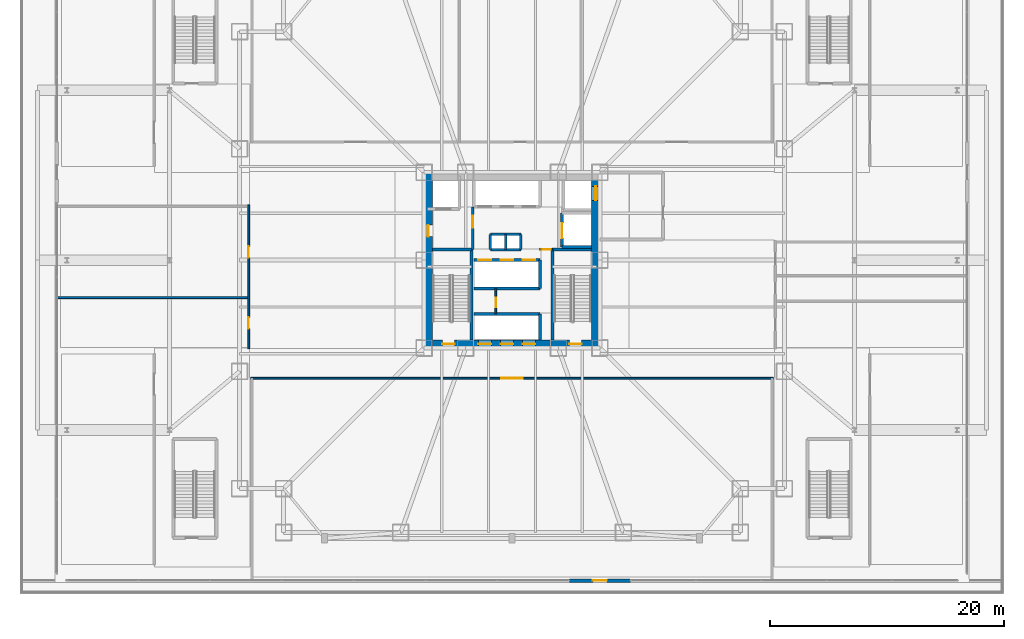
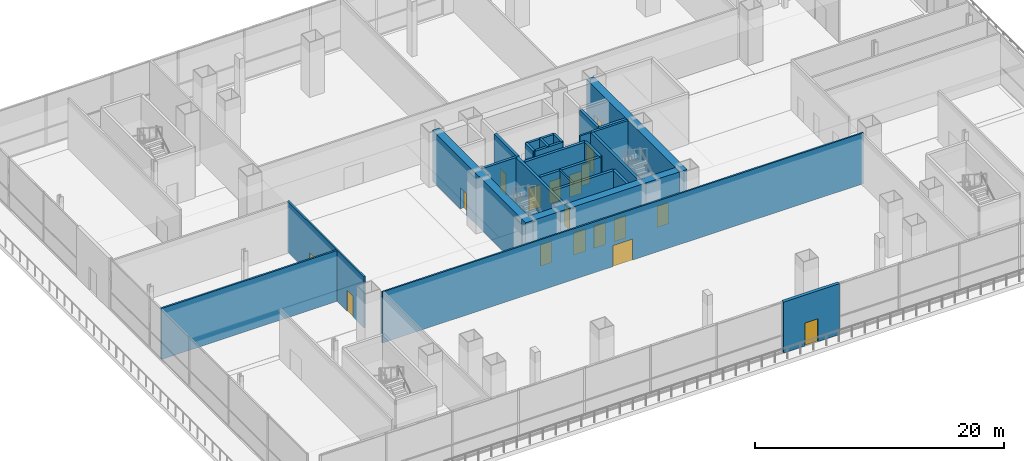
# One storey, part 21 of 36: 26 walls, 18 doors, 18 openings.
"""IFC4 building model written with IfcOpenShell, lengths in metres."""

from ifc_helpers import new_model, si_unit, direction, frame, frame_2d, origin, place, context, subcontext, project, spatial, rectangle, extrude, material, layer, layer_set, type_object, element, fill, save


model = new_model("IFC4")

# Units and contexts
model_context = context("Model", 3, precision=1e-05, world=origin(), true_north=direction((0.0, 1.0)))
body_context = subcontext(model_context, "Body", "Model", "MODEL_VIEW")
ifc_project = project(units=[si_unit("LENGTHUNIT", "METRE"), si_unit("AREAUNIT", "SQUARE_METRE"), si_unit("VOLUMEUNIT", "CUBIC_METRE"), si_unit("PLANEANGLEUNIT", "RADIAN"), si_unit("MASSUNIT", "GRAM", prefix="KILO")], contexts=[model_context])

# Site, building, storey
site_placement = place(None, origin())
site = spatial("IfcSite", under=ifc_project, at=site_placement, CompositionType="ELEMENT")
building_placement = place(site_placement, origin())
building = spatial("IfcBuilding", under=site, at=building_placement, Name="Trevonay Congress Spire", CompositionType="ELEMENT")
storey_placement = place(building_placement, frame((0.0, 0.0, 5.39990234375)))
storey = spatial("IfcBuildingStorey", under=building, at=storey_placement, Name="L01", CompositionType="ELEMENT", Elevation=5.39990234375)

# Wall, openings, doors
ifc_material_1 = material(Name="Concrete C60/75", Category="concrete")
ifc_layer_1 = layer(ifc_material_1, 0.699951171875, Name="Concrete C60/75")
ifc_layer_set_1 = layer_set([ifc_layer_1], Name="Concrete C60/75")
wall_type_1 = type_object("IfcWallType", Name="WAL-CORE-700", PredefinedType="SHEAR", material=ifc_layer_set_1)
wall_1_placement = place(storey_placement, frame((-7.5, -7.14990234375, 0.0), z_axis=(0.0, 0.0, 1.0), x_axis=(1.0, 0.0, 0.0)))
wall_1 = element("IfcWall", 1, at=wall_1_placement, inside=storey, type_object=wall_type_1, Name="L01 South structural core shear wall", PredefinedType="SHEAR", context=body_context, shape_type="SweptSolid", body=[
    extrude(rectangle(XDim=15.0, YDim=0.699951171875, at=frame_2d((7.5, 0.0))), origin(), (0.0, 0.0, 1.0), 5.0),
])
opening_1_placement = place(wall_1_placement, frame((1.550048828125, 0.0, 0.0)))
opening_1 = element("IfcOpeningElement", 2, at=opening_1_placement, cuts=wall_1, Name="Opening D05", PredefinedType="OPENING", context=body_context, shape_type="SweptSolid", body=[
    extrude(rectangle(XDim=1.050048828125, YDim=2.080078125, at=frame_2d((0.52490234375, 1.0400390625))), frame((0.0, 0.35986328125, 0.0), z_axis=(0.0, -1.0, 0.0), x_axis=(1.0, 0.0, 0.0)), (0.0, 0.0, 1.0), 0.719970703125),
])
opening_2_placement = place(wall_1_placement, frame((12.39990234375, 0.0, 0.0)))
opening_2 = element("IfcOpeningElement", 3, at=opening_2_placement, cuts=wall_1, Name="Opening D05", PredefinedType="OPENING", context=body_context, shape_type="SweptSolid", body=[
    extrude(rectangle(XDim=1.050048828125, YDim=2.080078125, at=frame_2d((0.52490234375, 1.0400390625))), frame((0.0, 0.35986328125, 0.0), z_axis=(0.0, -1.0, 0.0), x_axis=(1.0, 0.0, 0.0)), (0.0, 0.0, 1.0), 0.719970703125),
])
opening_3_placement = place(wall_1_placement, frame((4.639892578125, 0.0, 0.0)))
opening_3 = element("IfcOpeningElement", 4, at=opening_3_placement, cuts=wall_1, Name="Opening LD01", PredefinedType="OPENING", context=body_context, shape_type="SweptSolid", body=[
    extrude(rectangle(XDim=1.10009765625, YDim=2.199951171875, at=frame_2d((0.550048828125, 1.10009765625))), frame((0.0, 0.35986328125, 0.0), z_axis=(0.0, -1.0, 0.0), x_axis=(1.0, 0.0, 0.0)), (0.0, 0.0, 1.0), 0.719970703125),
])
opening_4_placement = place(wall_1_placement, frame((6.52001953125, 0.0, 0.0)))
opening_4 = element("IfcOpeningElement", 5, at=opening_4_placement, cuts=wall_1, Name="Opening LD01", PredefinedType="OPENING", context=body_context, shape_type="SweptSolid", body=[
    extrude(rectangle(XDim=1.10009765625, YDim=2.199951171875, at=frame_2d((0.550048828125, 1.10009765625))), frame((0.0, 0.35986328125, 0.0), z_axis=(0.0, -1.0, 0.0), x_axis=(1.0, 0.0, 0.0)), (0.0, 0.0, 1.0), 0.719970703125),
])
opening_5_placement = place(wall_1_placement, frame((8.39990234375, 0.0, 0.0)))
opening_5 = element("IfcOpeningElement", 6, at=opening_5_placement, cuts=wall_1, Name="Opening LD01", PredefinedType="OPENING", context=body_context, shape_type="SweptSolid", body=[
    extrude(rectangle(XDim=1.10009765625, YDim=2.199951171875, at=frame_2d((0.550048828125, 1.10009765625))), frame((0.0, 0.35986328125, 0.0), z_axis=(0.0, -1.0, 0.0), x_axis=(1.0, 0.0, 0.0)), (0.0, 0.0, 1.0), 0.719970703125),
])
ifc_material_2 = material(Name="Pale Anodised Aluminium EN AW-6063-T6", Category="aluminium")
door_type_1 = type_object("IfcDoorType", Name="DOR-LIFT-LD01", OperationType="DOUBLE_DOOR_SLIDING", PredefinedType="DOOR", material=ifc_material_2)
door_1_placement = place(opening_3_placement, origin())
door_1 = element("IfcDoor", 7, at=door_1_placement, inside=storey, type_object=door_type_1, Name="L01 Passenger lift PL-01 landing door", OperationType="DOUBLE_DOOR_SLIDING", OverallHeight=2.199951171875, OverallWidth=1.10009765625, PredefinedType="DOOR", context=body_context, shape_type="SweptSolid", body=[
    extrude(rectangle(XDim=1.10009765625, YDim=2.199951171875, at=frame_2d((0.550048828125, 1.10009765625))), frame((0.0, 0.02490234375, 0.0), z_axis=(0.0, -1.0, 0.0), x_axis=(1.0, 0.0, 0.0)), (0.0, 0.0, 1.0), 0.050048828125),
])
fill(opening_3, door_1)
door_2_placement = place(opening_4_placement, origin())
door_2 = element("IfcDoor", 8, at=door_2_placement, inside=storey, type_object=door_type_1, Name="L01 Passenger lift PL-02 landing door", OperationType="DOUBLE_DOOR_SLIDING", OverallHeight=2.199951171875, OverallWidth=1.10009765625, PredefinedType="DOOR", context=body_context, shape_type="SweptSolid", body=[
    extrude(rectangle(XDim=1.10009765625, YDim=2.199951171875, at=frame_2d((0.550048828125, 1.10009765625))), frame((0.0, 0.02490234375, 0.0), z_axis=(0.0, -1.0, 0.0), x_axis=(1.0, 0.0, 0.0)), (0.0, 0.0, 1.0), 0.050048828125),
])
fill(opening_4, door_2)
door_3_placement = place(opening_5_placement, origin())
door_3 = element("IfcDoor", 9, at=door_3_placement, inside=storey, type_object=door_type_1, Name="L01 Passenger lift PL-03 landing door", OperationType="DOUBLE_DOOR_SLIDING", OverallHeight=2.199951171875, OverallWidth=1.10009765625, PredefinedType="DOOR", context=body_context, shape_type="SweptSolid", body=[
    extrude(rectangle(XDim=1.10009765625, YDim=2.199951171875, at=frame_2d((0.550048828125, 1.10009765625))), frame((0.0, 0.02490234375, 0.0), z_axis=(0.0, -1.0, 0.0), x_axis=(1.0, 0.0, 0.0)), (0.0, 0.0, 1.0), 0.050048828125),
])
fill(opening_5, door_3)
ifc_material_3 = material(Name="Steel ASTM A572 Grade 50", Category="steel")
door_type_2 = type_object("IfcDoorType", Name="DOR-STAIR-110", OperationType="NOTDEFINED", PredefinedType="DOOR", material=ifc_material_3)
door_4_placement = place(opening_1_placement, origin())
door_4 = element("IfcDoor", 10, at=door_4_placement, inside=storey, type_object=door_type_2, Name="L01 Protected Stair ST-1 Door", OperationType="SINGLE_SWING_RIGHT", OverallHeight=2.080078125, OverallWidth=1.050048828125, PredefinedType="DOOR", context=body_context, shape_type="SweptSolid", body=[
    extrude(rectangle(XDim=1.050048828125, YDim=2.080078125, at=frame_2d((0.52490234375, 1.0400390625))), frame((0.0, 0.02490234375, 0.0), z_axis=(0.0, -1.0, 0.0), x_axis=(1.0, 0.0, 0.0)), (0.0, 0.0, 1.0), 0.050048828125),
])
fill(opening_1, door_4)
door_5_placement = place(opening_2_placement, origin())
door_5 = element("IfcDoor", 11, at=door_5_placement, inside=storey, type_object=door_type_2, Name="L01 Protected Stair ST-2 Door", OperationType="SINGLE_SWING_LEFT", OverallHeight=2.080078125, OverallWidth=1.050048828125, PredefinedType="DOOR", context=body_context, shape_type="SweptSolid", body=[
    extrude(rectangle(XDim=1.050048828125, YDim=2.080078125, at=frame_2d((0.52490234375, 1.0400390625))), frame((0.0, 0.02490234375, 0.0), z_axis=(0.0, -1.0, 0.0), x_axis=(1.0, 0.0, 0.0)), (0.0, 0.0, 1.0), 0.050048828125),
])
fill(opening_2, door_5)

# Wall, opening, door
wall_2_placement = place(storey_placement, frame((-7.14990234375, -7.5, 0.0), z_axis=(0.0, 0.0, 1.0), x_axis=(0.0, 1.0, 0.0)))
wall_2 = element("IfcWall", 12, at=wall_2_placement, inside=storey, type_object=wall_type_1, Name="L01 West structural core shear wall", PredefinedType="SHEAR", context=body_context, shape_type="SweptSolid", body=[
    extrude(rectangle(XDim=15.0, YDim=0.699951171875, at=frame_2d((7.5, 0.0))), origin(), (0.0, 0.0, 1.0), 5.0),
])
opening_6_placement = place(wall_2_placement, frame((9.5, 0.0, 0.0)))
opening_6 = element("IfcOpeningElement", 13, at=opening_6_placement, cuts=wall_2, Name="Opening D06", PredefinedType="OPENING", context=body_context, shape_type="SweptSolid", body=[
    extrude(rectangle(XDim=1.0, YDim=2.080078125, at=frame_2d((0.5, 1.0400390625))), frame((0.0, 0.35986328125, 0.0), z_axis=(0.0, -1.0, 0.0), x_axis=(1.0, 0.0, 0.0)), (0.0, 0.0, 1.0), 0.719970703125),
])
door_type_3 = type_object("IfcDoorType", Name="DOR-FIRE-100", OperationType="NOTDEFINED", PredefinedType="DOOR", material=ifc_material_3)
door_6_placement = place(opening_6_placement, origin())
door_6 = element("IfcDoor", 14, at=door_6_placement, inside=storey, type_object=door_type_3, Name="L01 Firefighting Lift Lobby West Corridor Door", OperationType="SINGLE_SWING_RIGHT", OverallHeight=2.080078125, OverallWidth=1.0, PredefinedType="DOOR", context=body_context, shape_type="SweptSolid", body=[
    extrude(rectangle(XDim=1.0, YDim=2.080078125, at=frame_2d((0.5, 1.0400390625))), frame((0.0, 0.02490234375, 0.0), z_axis=(0.0, -1.0, 0.0), x_axis=(1.0, 0.0, 0.0)), (0.0, 0.0, 1.0), 0.050048828125),
])
fill(opening_6, door_6)

wall_3_placement = place(storey_placement, frame((7.14990234375, -7.5, 0.0), z_axis=(0.0, 0.0, 1.0), x_axis=(0.0, 1.0, 0.0)))
wall_3 = element("IfcWall", 15, at=wall_3_placement, inside=storey, type_object=wall_type_1, Name="L01 East structural core shear wall", PredefinedType="SHEAR", context=body_context, shape_type="SweptSolid", body=[
    extrude(rectangle(XDim=15.0, YDim=0.699951171875, at=frame_2d((7.5, 0.0))), origin(), (0.0, 0.0, 1.0), 5.0),
])
opening_7_placement = place(wall_3_placement, frame((12.60009765625, 0.0, 0.0)))
opening_7 = element("IfcOpeningElement", 16, at=opening_7_placement, cuts=wall_3, Name="Opening LD04", PredefinedType="OPENING", context=body_context, shape_type="SweptSolid", body=[
    extrude(rectangle(XDim=1.199951171875, YDim=2.199951171875, at=frame_2d((0.60009765625, 1.10009765625))), frame((0.0, 0.35986328125, 0.0), z_axis=(0.0, -1.0, 0.0), x_axis=(1.0, 0.0, 0.0)), (0.0, 0.0, 1.0), 0.719970703125),
])
door_type_4 = type_object("IfcDoorType", Name="DOR-LIFT-LD04", OperationType="DOUBLE_DOOR_SLIDING", PredefinedType="DOOR", material=ifc_material_3)
door_7_placement = place(opening_7_placement, origin())
door_7 = element("IfcDoor", 17, at=door_7_placement, inside=storey, type_object=door_type_4, Name="L01 Firefighting lift FFL-02 landing door", OperationType="DOUBLE_DOOR_SLIDING", OverallHeight=2.199951171875, OverallWidth=1.199951171875, PredefinedType="DOOR", context=body_context, shape_type="SweptSolid", body=[
    extrude(rectangle(XDim=1.199951171875, YDim=2.199951171875, at=frame_2d((0.60009765625, 1.10009765625))), frame((0.0, 0.02490234375, 0.0), z_axis=(0.0, -1.0, 0.0), x_axis=(1.0, 0.0, 0.0)), (0.0, 0.0, 1.0), 0.050048828125),
])
fill(opening_7, door_7)

ifc_material_4 = material(Name="Concrete C40/50", Category="concrete")
ifc_layer_2 = layer(ifc_material_4, 0.14990234375, Name="Concrete C40/50")
ifc_layer_set_2 = layer_set([ifc_layer_2], Name="Concrete C40/50")
wall_type_2 = type_object("IfcWallType", Name="WAL-CORR-150", PredefinedType="PARTITIONING", material=ifc_layer_set_2)
wall_4_placement = place(storey_placement, frame((-22.320068359375, -10.080078125, 0.0), z_axis=(0.0, 0.0, 1.0), x_axis=(1.0, 0.0, 0.0)))
wall_4 = element("IfcWall", 18, at=wall_4_placement, inside=storey, type_object=wall_type_2, Name="L01 interior wall WP-L01S-COR", PredefinedType="PARTITIONING", context=body_context, shape_type="SweptSolid", body=[
    extrude(rectangle(XDim=44.64013671875, YDim=0.14990234375, at=frame_2d((22.320068359375, 0.0))), origin(), (0.0, 0.0, 1.0), 5.0),
])
opening_8_placement = place(wall_4_placement, frame((21.419921875, 0.0, 0.0)))
opening_8 = element("IfcOpeningElement", 19, at=opening_8_placement, cuts=wall_4, Name="Opening D09", PredefinedType="OPENING", context=body_context, shape_type="SweptSolid", body=[
    extrude(rectangle(XDim=1.800048828125, YDim=2.080078125, at=frame_2d((0.89990234375, 1.0400390625))), frame((0.0, 0.0849609375, 0.0), z_axis=(0.0, -1.0, 0.0), x_axis=(1.0, 0.0, 0.0)), (0.0, 0.0, 1.0), 0.169921875),
])
door_type_5 = type_object("IfcDoorType", Name="DOR-CONF-DBL", OperationType="DOUBLE_DOOR_SINGLE_SWING", PredefinedType="DOOR", material=ifc_material_2)
door_8_placement = place(opening_8_placement, origin())
door_8 = element("IfcDoor", 20, at=door_8_placement, inside=storey, type_object=door_type_5, Name="L01 Plenary Convention Hall Door", OperationType="DOUBLE_DOOR_SINGLE_SWING", OverallHeight=2.080078125, OverallWidth=1.800048828125, PredefinedType="DOOR", context=body_context, shape_type="SweptSolid", body=[
    extrude(rectangle(XDim=1.800048828125, YDim=2.080078125, at=frame_2d((0.89990234375, 1.0400390625))), frame((0.0, 0.02490234375, 0.0), z_axis=(0.0, -1.0, 0.0), x_axis=(1.0, 0.0, 0.0)), (0.0, 0.0, 1.0), 0.050048828125),
])
fill(opening_8, door_8)

# Wall, openings, doors
wall_5_placement = place(storey_placement, frame((-22.47998046875, -7.570068359375, 0.0), z_axis=(0.0, 0.0, 1.0), x_axis=(0.0, 1.0, 0.0)))
wall_5 = element("IfcWall", 21, at=wall_5_placement, inside=storey, type_object=wall_type_2, Name="L01 interior wall WP-L01W-COR", PredefinedType="PARTITIONING", context=body_context, shape_type="SweptSolid", body=[
    extrude(rectangle(XDim=12.2900390625, YDim=0.14990234375, at=frame_2d((6.14501953125, 0.0))), origin(), (0.0, 0.0, 1.0), 5.0),
])
opening_9_placement = place(wall_5_placement, frame((1.72998046875, 0.0, 0.0)))
opening_9 = element("IfcOpeningElement", 22, at=opening_9_placement, cuts=wall_5, Name="Opening D07", PredefinedType="OPENING", context=body_context, shape_type="SweptSolid", body=[
    extrude(rectangle(XDim=0.949951171875, YDim=2.06005859375, at=frame_2d((0.47509765625, 1.030029296875))), frame((0.0, 0.0849609375, 0.0), z_axis=(0.0, -1.0, 0.0), x_axis=(1.0, 0.0, 0.0)), (0.0, 0.0, 1.0), 0.169921875),
])
opening_10_placement = place(wall_5_placement, frame((7.794921875, 0.0, 0.0)))
opening_10 = element("IfcOpeningElement", 23, at=opening_10_placement, cuts=wall_5, Name="Opening D07", PredefinedType="OPENING", context=body_context, shape_type="SweptSolid", body=[
    extrude(rectangle(XDim=0.949951171875, YDim=2.06005859375, at=frame_2d((0.47509765625, 1.030029296875))), frame((0.0, 0.0849609375, 0.0), z_axis=(0.0, -1.0, 0.0), x_axis=(1.0, 0.0, 0.0)), (0.0, 0.0, 1.0), 0.169921875),
])
door_type_6 = type_object("IfcDoorType", Name="DOR-OFFICE-95", OperationType="NOTDEFINED", PredefinedType="DOOR", material=ifc_material_2)
door_9_placement = place(opening_9_placement, origin())
door_9 = element("IfcDoor", 24, at=door_9_placement, inside=storey, type_object=door_type_6, Name="L01 West Convention Breakout Salon Door", OperationType="SINGLE_SWING_RIGHT", OverallHeight=2.06005859375, OverallWidth=0.949951171875, PredefinedType="DOOR", context=body_context, shape_type="SweptSolid", body=[
    extrude(rectangle(XDim=0.949951171875, YDim=2.06005859375, at=frame_2d((0.47509765625, 1.030029296875))), frame((0.0, 0.02490234375, 0.0), z_axis=(0.0, -1.0, 0.0), x_axis=(1.0, 0.0, 0.0)), (0.0, 0.0, 1.0), 0.050048828125),
])
fill(opening_9, door_9)
door_10_placement = place(opening_10_placement, origin())
door_10 = element("IfcDoor", 25, at=door_10_placement, inside=storey, type_object=door_type_6, Name="L01 Speaker Ready Room Door", OperationType="SINGLE_SWING_LEFT", OverallHeight=2.06005859375, OverallWidth=0.949951171875, PredefinedType="DOOR", context=body_context, shape_type="SweptSolid", body=[
    extrude(rectangle(XDim=0.949951171875, YDim=2.06005859375, at=frame_2d((0.47509765625, 1.030029296875))), frame((0.0, 0.02490234375, 0.0), z_axis=(0.0, -1.0, 0.0), x_axis=(1.0, 0.0, 0.0)), (0.0, 0.0, 1.0), 0.050048828125),
])
fill(opening_10, door_10)

# Wall, opening, door
ifc_material_5 = material(Name="Precast concrete C40/50", Category="concrete")
ifc_layer_3 = layer(ifc_material_5, 0.300048828125, Name="Precast concrete C40/50")
ifc_layer_set_3 = layer_set([ifc_layer_3], Name="Precast concrete C40/50")
wall_type_3 = type_object("IfcWallType", Name="WAL-EXT-PRECAST-300", PredefinedType="SOLIDWALL", material=ifc_layer_set_3)
wall_6_placement = place(storey_placement, frame((4.89990234375, -27.35009765625, 0.0), z_axis=(0.0, 0.0, 1.0), x_axis=(1.0, 0.0, 0.0)))
wall_6 = element("IfcWall", 26, at=wall_6_placement, inside=storey, type_object=wall_type_3, Name="L01 S terrace doorway backup wall", PredefinedType="SOLIDWALL", context=body_context, shape_type="SweptSolid", body=[
    extrude(rectangle(XDim=5.2001953125, YDim=0.300048828125, at=frame_2d((2.60009765625, 0.0))), origin(), (0.0, 0.0, 1.0), 5.0),
])
opening_11_placement = place(wall_6_placement, frame((2.0, 0.0, 0.0)))
opening_11 = element("IfcOpeningElement", 27, at=opening_11_placement, cuts=wall_6, Name="Opening D12", PredefinedType="OPENING", context=body_context, shape_type="SweptSolid", body=[
    extrude(rectangle(XDim=1.199951171875, YDim=2.25, at=frame_2d((0.60009765625, 1.125))), frame((0.0, 0.16015625, 0.0), z_axis=(0.0, -1.0, 0.0), x_axis=(1.0, 0.0, 0.0)), (0.0, 0.0, 1.0), 0.320068359375),
])
door_type_7 = type_object("IfcDoorType", Name="DOR-EXT-TERR-120", OperationType="NOTDEFINED", PredefinedType="DOOR", material=ifc_material_2)
door_11_placement = place(opening_11_placement, origin())
door_11 = element("IfcDoor", 28, at=door_11_placement, inside=storey, type_object=door_type_7, Name="L01 S stepped terrace access door", OperationType="SINGLE_SWING_LEFT", OverallHeight=2.25, OverallWidth=1.199951171875, PredefinedType="DOOR", context=body_context, shape_type="SweptSolid", body=[
    extrude(rectangle(XDim=1.199951171875, YDim=2.25, at=frame_2d((0.60009765625, 1.125))), frame((0.0, 0.02490234375, 0.0), z_axis=(0.0, -1.0, 0.0), x_axis=(1.0, 0.0, 0.0)), (0.0, 0.0, 1.0), 0.050048828125),
])
fill(opening_11, door_11)

ifc_layer_4 = layer(ifc_material_4, 0.14990234375, Name="Concrete C40/50")
ifc_layer_set_4 = layer_set([ifc_layer_4], Name="Concrete C40/50")
wall_type_4 = type_object("IfcWallType", Name="WAL-PART-150", PredefinedType="PARTITIONING", material=ifc_layer_set_4)
wall_7_placement = place(storey_placement, frame((2.3798828125, 0.919921875, 0.0), z_axis=(0.0, 0.0, 1.0), x_axis=(1.0, 0.0, 0.0)))
wall_7 = element("IfcWall", 29, at=wall_7_placement, inside=storey, type_object=wall_type_4, Name="L01 interior wall CW-CSRV-N-L01", PredefinedType="PARTITIONING", context=body_context, shape_type="SweptSolid", body=[
    extrude(rectangle(XDim=1.090087890625, YDim=0.14990234375, at=frame_2d((0.544921875, 0.0))), origin(), (0.0, 0.0, 1.0), 5.0),
])
opening_12_placement = place(wall_7_placement, frame((0.135009765625, 0.0, 0.0)))
opening_12 = element("IfcOpeningElement", 30, at=opening_12_placement, cuts=wall_7, Name="Opening D13", PredefinedType="OPENING", context=body_context, shape_type="SweptSolid", body=[
    extrude(rectangle(XDim=0.820068359375, YDim=2.050048828125, at=frame_2d((0.41015625, 1.02490234375))), frame((0.0, 0.0849609375, 0.0), z_axis=(0.0, -1.0, 0.0), x_axis=(1.0, 0.0, 0.0)), (0.0, 0.0, 1.0), 0.169921875),
])
door_type_8 = type_object("IfcDoorType", Name="DOR-UTIL-80", OperationType="NOTDEFINED", PredefinedType="DOOR", material=ifc_material_3)
door_12_placement = place(opening_12_placement, origin())
door_12 = element("IfcDoor", 31, at=door_12_placement, inside=storey, type_object=door_type_8, Name="L01 Core Service Pocket Door", OperationType="SINGLE_SWING_RIGHT", OverallHeight=2.050048828125, OverallWidth=0.820068359375, PredefinedType="DOOR", context=body_context, shape_type="SweptSolid", body=[
    extrude(rectangle(XDim=0.820068359375, YDim=2.050048828125, at=frame_2d((0.41015625, 1.02490234375))), frame((0.0, 0.02490234375, 0.0), z_axis=(0.0, -1.0, 0.0), x_axis=(1.0, 0.0, 0.0)), (0.0, 0.0, 1.0), 0.050048828125),
])
fill(opening_12, door_12)

wall_8_placement = place(storey_placement, frame((-1.3798828125, -4.570068359375, 0.0), z_axis=(0.0, 0.0, 1.0), x_axis=(0.0, 1.0, 0.0)))
wall_8 = element("IfcWall", 32, at=wall_8_placement, inside=storey, type_object=wall_type_4, Name="L01 interior wall CW-K2-L01", PredefinedType="PARTITIONING", context=body_context, shape_type="SweptSolid", body=[
    extrude(rectangle(XDim=2.14013671875, YDim=0.14990234375, at=frame_2d((1.070068359375, 0.0))), origin(), (0.0, 0.0, 1.0), 5.0),
])
opening_13_placement = place(wall_8_placement, frame((0.550048828125, 0.0, 0.0)))
opening_13 = element("IfcOpeningElement", 33, at=opening_13_placement, cuts=wall_8, Name="Opening D13", PredefinedType="OPENING", context=body_context, shape_type="SweptSolid", body=[
    extrude(rectangle(XDim=0.820068359375, YDim=2.050048828125, at=frame_2d((0.41015625, 1.02490234375))), frame((0.0, 0.0849609375, 0.0), z_axis=(0.0, -1.0, 0.0), x_axis=(1.0, 0.0, 0.0)), (0.0, 0.0, 1.0), 0.169921875),
])
door_13_placement = place(opening_13_placement, origin())
door_13 = element("IfcDoor", 34, at=door_13_placement, inside=storey, type_object=door_type_8, Name="L01 Core Valve Room Door", OperationType="SINGLE_SWING_LEFT", OverallHeight=2.050048828125, OverallWidth=0.820068359375, PredefinedType="DOOR", context=body_context, shape_type="SweptSolid", body=[
    extrude(rectangle(XDim=0.820068359375, YDim=2.050048828125, at=frame_2d((0.41015625, 1.02490234375))), frame((0.0, 0.02490234375, 0.0), z_axis=(0.0, -1.0, 0.0), x_axis=(1.0, 0.0, 0.0)), (0.0, 0.0, 1.0), 0.050048828125),
])
fill(opening_13, door_13)

# Walls
ifc_layer_5 = layer(ifc_material_4, 0.219970703125, Name="Concrete C40/50")
ifc_layer_set_5 = layer_set([ifc_layer_5], Name="Concrete C40/50")
wall_type_5 = type_object("IfcWallType", Name="WAL-SHAFT-220", PredefinedType="PARTITIONING", material=ifc_layer_set_5)
for number, where, z_axis, x_axis, name in (
    (35, (-1.85009765625, 2.199951171875, 0.0), (0.0, 0.0, 1.0), (1.0, 0.0, 0.0), "L01 interior shaft wall WSH-L01-RSR-N"),
    (36, (-1.85009765625, 0.89990234375, 0.0), (0.0, 0.0, 1.0), (1.0, 0.0, 0.0), "L01 interior shaft wall WSH-L01-RSR-S"),
):
    element("IfcWall", number, at=place(storey_placement, frame(where, z_axis=z_axis, x_axis=x_axis)), inside=storey, type_object=wall_type_5, Name=name, PredefinedType="PARTITIONING", context=body_context, shape_type="SweptSolid", body=[
        extrude(rectangle(XDim=2.60009765625, YDim=0.219970703125, at=frame_2d((1.300048828125, 0.0))), origin(), (0.0, 0.0, 1.0), 5.0),
    ])
for number, where, z_axis, x_axis, name in (
    (37, (-0.550048828125, 0.89990234375, 0.0), (0.0, 0.0, 1.0), (0.0, 1.0, 0.0), "L01 interior shaft wall WSH-L01-RSR-M"),
    (38, (0.75, 0.89990234375, 0.0), (0.0, 0.0, 1.0), (0.0, 1.0, 0.0), "L01 interior shaft wall WSH-L01-RSR-E"),
    (39, (-1.85009765625, 0.89990234375, 0.0), (0.0, 0.0, 1.0), (0.0, 1.0, 0.0), "L01 interior shaft wall WSH-L01-RSR-W"),
):
    element("IfcWall", number, at=place(storey_placement, frame(where, z_axis=z_axis, x_axis=x_axis)), inside=storey, type_object=wall_type_5, Name=name, PredefinedType="PARTITIONING", context=body_context, shape_type="SweptSolid", body=[
        extrude(rectangle(XDim=1.300048828125, YDim=0.219970703125, at=frame_2d((0.64990234375, 0.0))), origin(), (0.0, 0.0, 1.0), 5.0),
    ])
ifc_layer_6 = layer(ifc_material_4, 0.25, Name="Concrete C40/50")
ifc_layer_set_6 = layer_set([ifc_layer_6], Name="Concrete C40/50")
wall_type_6 = type_object("IfcWallType", Name="WAL-SHAFT-250", PredefinedType="SHEAR", material=ifc_layer_set_6)
wall_9_placement = place(storey_placement, frame((-3.260009765625, -4.580078125, 0.0), z_axis=(0.0, 0.0, 1.0), x_axis=(1.0, 0.0, 0.0)))
element("IfcWall", 40, at=wall_9_placement, inside=storey, type_object=wall_type_6, Name="L01 interior shaft wall WSH-L01-B1-N", PredefinedType="SHEAR", context=body_context, shape_type="SweptSolid", body=[
    extrude(rectangle(XDim=5.639892578125, YDim=0.25, at=frame_2d((2.81982421875, 0.0))), origin(), (0.0, 0.0, 1.0), 5.0),
])
wall_10_placement = place(storey_placement, frame((2.3798828125, -6.800048828125, 0.0), z_axis=(0.0, 0.0, 1.0), x_axis=(0.0, 1.0, 0.0)))
element("IfcWall", 41, at=wall_10_placement, inside=storey, type_object=wall_type_6, Name="L01 interior shaft wall WSH-L01-B1-E", PredefinedType="SHEAR", context=body_context, shape_type="SweptSolid", body=[
    extrude(rectangle(XDim=2.219970703125, YDim=0.25, at=frame_2d((1.10986328125, 0.0))), origin(), (0.0, 0.0, 1.0), 5.0),
])

# Wall, openings, doors
wall_11_placement = place(storey_placement, frame((-3.260009765625, 0.02001953125, 0.0), z_axis=(0.0, 0.0, 1.0), x_axis=(1.0, 0.0, 0.0)))
wall_11 = element("IfcWall", 42, at=wall_11_placement, inside=storey, type_object=wall_type_6, Name="L01 interior shaft wall WSH-L01-B2-N", PredefinedType="SHEAR", context=body_context, shape_type="SweptSolid", body=[
    extrude(rectangle(XDim=5.639892578125, YDim=0.25, at=frame_2d((2.81982421875, 0.0))), origin(), (0.0, 0.0, 1.0), 5.0),
])
opening_14_placement = place(wall_11_placement, frame((0.39990234375, 0.0, 0.0)))
opening_14 = element("IfcOpeningElement", 43, at=opening_14_placement, cuts=wall_11, Name="Opening LD02", PredefinedType="OPENING", context=body_context, shape_type="SweptSolid", body=[
    extrude(rectangle(XDim=1.10009765625, YDim=2.199951171875, at=frame_2d((0.550048828125, 1.10009765625))), frame((0.0, 0.135009765625, 0.0), z_axis=(0.0, -1.0, 0.0), x_axis=(1.0, 0.0, 0.0)), (0.0, 0.0, 1.0), 0.27001953125),
])
opening_15_placement = place(wall_11_placement, frame((2.280029296875, 0.0, 0.0)))
opening_15 = element("IfcOpeningElement", 44, at=opening_15_placement, cuts=wall_11, Name="Opening LD02", PredefinedType="OPENING", context=body_context, shape_type="SweptSolid", body=[
    extrude(rectangle(XDim=1.10009765625, YDim=2.199951171875, at=frame_2d((0.550048828125, 1.10009765625))), frame((0.0, 0.135009765625, 0.0), z_axis=(0.0, -1.0, 0.0), x_axis=(1.0, 0.0, 0.0)), (0.0, 0.0, 1.0), 0.27001953125),
])
opening_16_placement = place(wall_11_placement, frame((4.159912109375, 0.0, 0.0)))
opening_16 = element("IfcOpeningElement", 45, at=opening_16_placement, cuts=wall_11, Name="Opening LD02", PredefinedType="OPENING", context=body_context, shape_type="SweptSolid", body=[
    extrude(rectangle(XDim=1.10009765625, YDim=2.199951171875, at=frame_2d((0.550048828125, 1.10009765625))), frame((0.0, 0.135009765625, 0.0), z_axis=(0.0, -1.0, 0.0), x_axis=(1.0, 0.0, 0.0)), (0.0, 0.0, 1.0), 0.27001953125),
])
door_type_9 = type_object("IfcDoorType", Name="DOR-LIFT-LD02", OperationType="DOUBLE_DOOR_SLIDING", PredefinedType="DOOR", material=ifc_material_2)
door_14_placement = place(opening_14_placement, origin())
door_14 = element("IfcDoor", 46, at=door_14_placement, inside=storey, type_object=door_type_9, Name="L01 Passenger lift PL-04 landing door", OperationType="DOUBLE_DOOR_SLIDING", OverallHeight=2.199951171875, OverallWidth=1.10009765625, PredefinedType="DOOR", context=body_context, shape_type="SweptSolid", body=[
    extrude(rectangle(XDim=1.10009765625, YDim=2.199951171875, at=frame_2d((0.550048828125, 1.10009765625))), frame((0.0, 0.02490234375, 0.0), z_axis=(0.0, -1.0, 0.0), x_axis=(1.0, 0.0, 0.0)), (0.0, 0.0, 1.0), 0.050048828125),
])
fill(opening_14, door_14)
door_15_placement = place(opening_15_placement, origin())
door_15 = element("IfcDoor", 47, at=door_15_placement, inside=storey, type_object=door_type_9, Name="L01 Passenger lift PL-05 landing door", OperationType="DOUBLE_DOOR_SLIDING", OverallHeight=2.199951171875, OverallWidth=1.10009765625, PredefinedType="DOOR", context=body_context, shape_type="SweptSolid", body=[
    extrude(rectangle(XDim=1.10009765625, YDim=2.199951171875, at=frame_2d((0.550048828125, 1.10009765625))), frame((0.0, 0.02490234375, 0.0), z_axis=(0.0, -1.0, 0.0), x_axis=(1.0, 0.0, 0.0)), (0.0, 0.0, 1.0), 0.050048828125),
])
fill(opening_15, door_15)
door_16_placement = place(opening_16_placement, origin())
door_16 = element("IfcDoor", 48, at=door_16_placement, inside=storey, type_object=door_type_9, Name="L01 Passenger lift PL-06 landing door", OperationType="DOUBLE_DOOR_SLIDING", OverallHeight=2.199951171875, OverallWidth=1.10009765625, PredefinedType="DOOR", context=body_context, shape_type="SweptSolid", body=[
    extrude(rectangle(XDim=1.10009765625, YDim=2.199951171875, at=frame_2d((0.550048828125, 1.10009765625))), frame((0.0, 0.02490234375, 0.0), z_axis=(0.0, -1.0, 0.0), x_axis=(1.0, 0.0, 0.0)), (0.0, 0.0, 1.0), 0.050048828125),
])
fill(opening_16, door_16)

# Walls
wall_12_placement = place(storey_placement, frame((-3.260009765625, -2.419921875, 0.0), z_axis=(0.0, 0.0, 1.0), x_axis=(1.0, 0.0, 0.0)))
element("IfcWall", 49, at=wall_12_placement, inside=storey, type_object=wall_type_6, Name="L01 interior shaft wall WSH-L01-B2-S", PredefinedType="SHEAR", context=body_context, shape_type="SweptSolid", body=[
    extrude(rectangle(XDim=5.639892578125, YDim=0.25, at=frame_2d((2.81982421875, 0.0))), origin(), (0.0, 0.0, 1.0), 5.0),
])
wall_13_placement = place(storey_placement, frame((2.3798828125, -2.419921875, 0.0), z_axis=(0.0, 0.0, 1.0), x_axis=(0.0, 1.0, 0.0)))
element("IfcWall", 50, at=wall_13_placement, inside=storey, type_object=wall_type_6, Name="L01 interior shaft wall WSH-L01-B2-E", PredefinedType="SHEAR", context=body_context, shape_type="SweptSolid", body=[
    extrude(rectangle(XDim=2.43994140625, YDim=0.25, at=frame_2d((1.219970703125, 0.0))), origin(), (0.0, 0.0, 1.0), 5.0),
])

# Wall, opening, door
wall_14_placement = place(storey_placement, frame((4.280029296875, 1.1201171875, 0.0), z_axis=(0.0, 0.0, 1.0), x_axis=(0.0, 1.0, 0.0)))
wall_14 = element("IfcWall", 51, at=wall_14_placement, inside=storey, type_object=wall_type_6, Name="L01 interior shaft wall WSH-L01-SV-W", PredefinedType="SHEAR", context=body_context, shape_type="SweptSolid", body=[
    extrude(rectangle(XDim=2.89990234375, YDim=0.25, at=frame_2d((1.449951171875, 0.0))), origin(), (0.0, 0.0, 1.0), 5.0),
])
opening_17_placement = place(wall_14_placement, frame((0.75, 0.0, 0.0)))
opening_17 = element("IfcOpeningElement", 52, at=opening_17_placement, cuts=wall_14, Name="Opening LD05", PredefinedType="OPENING", context=body_context, shape_type="SweptSolid", body=[
    extrude(rectangle(XDim=1.300048828125, YDim=2.300048828125, at=frame_2d((0.64990234375, 1.14990234375))), frame((0.0, 0.135009765625, 0.0), z_axis=(0.0, -1.0, 0.0), x_axis=(1.0, 0.0, 0.0)), (0.0, 0.0, 1.0), 0.27001953125),
])
door_type_10 = type_object("IfcDoorType", Name="DOR-LIFT-LD05", OperationType="DOUBLE_DOOR_SLIDING", PredefinedType="DOOR", material=ifc_material_3)
door_17_placement = place(opening_17_placement, origin())
door_17 = element("IfcDoor", 53, at=door_17_placement, inside=storey, type_object=door_type_10, Name="L01 Goods lift SVL-01 landing door", OperationType="DOUBLE_DOOR_SLIDING", OverallHeight=2.300048828125, OverallWidth=1.300048828125, PredefinedType="DOOR", context=body_context, shape_type="SweptSolid", body=[
    extrude(rectangle(XDim=1.300048828125, YDim=2.300048828125, at=frame_2d((0.64990234375, 1.14990234375))), frame((0.0, 0.02490234375, 0.0), z_axis=(0.0, -1.0, 0.0), x_axis=(1.0, 0.0, 0.0)), (0.0, 0.0, 1.0), 0.050048828125),
])
fill(opening_17, door_17)

# Wall
wall_15_placement = place(storey_placement, frame((4.280029296875, 1.1201171875, 0.0), z_axis=(0.0, 0.0, 1.0), x_axis=(1.0, 0.0, 0.0)))
element("IfcWall", 54, at=wall_15_placement, inside=storey, type_object=wall_type_6, Name="L01 interior shaft wall WSH-L01-SV-S", PredefinedType="SHEAR", context=body_context, shape_type="SweptSolid", body=[
    extrude(rectangle(XDim=2.52001953125, YDim=0.25, at=frame_2d((1.260009765625, 0.0))), origin(), (0.0, 0.0, 1.0), 5.0),
])

# Wall, opening, door
wall_16_placement = place(storey_placement, frame((-3.35009765625, 0.919921875, 0.0), z_axis=(0.0, 0.0, 1.0), x_axis=(0.0, 1.0, 0.0)))
wall_16 = element("IfcWall", 55, at=wall_16_placement, inside=storey, type_object=wall_type_6, Name="L01 interior wall CW-FFLW-E-L01", PredefinedType="SHEAR", context=body_context, shape_type="SweptSolid", body=[
    extrude(rectangle(XDim=3.6201171875, YDim=0.25, at=frame_2d((1.81005859375, 0.0))), origin(), (0.0, 0.0, 1.0), 5.0),
])
opening_18_placement = place(wall_16_placement, frame((1.85009765625, 0.0, 0.0)))
opening_18 = element("IfcOpeningElement", 56, at=opening_18_placement, cuts=wall_16, Name="Opening D06", PredefinedType="OPENING", context=body_context, shape_type="SweptSolid", body=[
    extrude(rectangle(XDim=1.0, YDim=2.080078125, at=frame_2d((0.5, 1.0400390625))), frame((0.0, 0.135009765625, 0.0), z_axis=(0.0, -1.0, 0.0), x_axis=(1.0, 0.0, 0.0)), (0.0, 0.0, 1.0), 0.27001953125),
])
door_18_placement = place(opening_18_placement, origin())
door_18 = element("IfcDoor", 57, at=door_18_placement, inside=storey, type_object=door_type_3, Name="L01 Firefighting Core Lobby Transfer Door", OperationType="SINGLE_SWING_LEFT", OverallHeight=2.080078125, OverallWidth=1.0, PredefinedType="DOOR", context=body_context, shape_type="SweptSolid", body=[
    extrude(rectangle(XDim=1.0, YDim=2.080078125, at=frame_2d((0.5, 1.0400390625))), frame((0.0, 0.02490234375, 0.0), z_axis=(0.0, -1.0, 0.0), x_axis=(1.0, 0.0, 0.0)), (0.0, 0.0, 1.0), 0.050048828125),
])
fill(opening_18, door_18)

# Walls
ifc_layer_7 = layer(ifc_material_4, 0.25, Name="Concrete C40/50")
ifc_layer_set_7 = layer_set([ifc_layer_7], Name="Concrete C40/50")
wall_type_7 = type_object("IfcWallType", Name="WAL-SHAFT-LB-250", PredefinedType="SHEAR", material=ifc_layer_set_7)
wall_17_placement = place(storey_placement, frame((-3.469970703125, -6.800048828125, 0.0), z_axis=(0.0, 0.0, 1.0), x_axis=(0.0, 1.0, 0.0)))
element("IfcWall", 58, at=wall_17_placement, inside=storey, type_object=wall_type_7, Name="L01 interior shaft wall WSH-L01-ST1-E", PredefinedType="SHEAR", context=body_context, shape_type="SweptSolid", body=[
    extrude(rectangle(XDim=7.719970703125, YDim=0.25, at=frame_2d((3.85986328125, 0.0))), origin(), (0.0, 0.0, 1.0), 5.0),
])
wall_18_placement = place(storey_placement, frame((-6.800048828125, 0.919921875, 0.0), z_axis=(0.0, 0.0, 1.0), x_axis=(1.0, 0.0, 0.0)))
element("IfcWall", 59, at=wall_18_placement, inside=storey, type_object=wall_type_7, Name="L01 interior shaft wall WSH-L01-ST1-N", PredefinedType="SHEAR", context=body_context, shape_type="SweptSolid", body=[
    extrude(rectangle(XDim=3.330078125, YDim=0.25, at=frame_2d((1.6650390625, 0.0))), origin(), (0.0, 0.0, 1.0), 5.0),
])
wall_19_placement = place(storey_placement, frame((3.469970703125, -6.800048828125, 0.0), z_axis=(0.0, 0.0, 1.0), x_axis=(0.0, 1.0, 0.0)))
element("IfcWall", 60, at=wall_19_placement, inside=storey, type_object=wall_type_7, Name="L01 interior shaft wall WSH-L01-ST2-W", PredefinedType="SHEAR", context=body_context, shape_type="SweptSolid", body=[
    extrude(rectangle(XDim=7.719970703125, YDim=0.25, at=frame_2d((3.85986328125, 0.0))), origin(), (0.0, 0.0, 1.0), 5.0),
])
wall_20_placement = place(storey_placement, frame((3.469970703125, 0.919921875, 0.0), z_axis=(0.0, 0.0, 1.0), x_axis=(1.0, 0.0, 0.0)))
element("IfcWall", 61, at=wall_20_placement, inside=storey, type_object=wall_type_7, Name="L01 interior shaft wall WSH-L01-ST2-N", PredefinedType="SHEAR", context=body_context, shape_type="SweptSolid", body=[
    extrude(rectangle(XDim=3.330078125, YDim=0.25, at=frame_2d((1.6650390625, 0.0))), origin(), (0.0, 0.0, 1.0), 5.0),
])
ifc_layer_8 = layer(ifc_material_4, 0.1650390625, Name="Concrete C40/50")
ifc_layer_set_8 = layer_set([ifc_layer_8], Name="Concrete C40/50")
wall_type_8 = type_object("IfcWallType", Name="WAL-WET-165", PredefinedType="PLUMBINGWALL", material=ifc_layer_set_8)
wall_21_placement = place(storey_placement, frame((-38.85009765625, -3.199951171875, 0.0), z_axis=(0.0, 0.0, 1.0), x_axis=(1.0, 0.0, 0.0)))
element("IfcWall", 62, at=wall_21_placement, inside=storey, type_object=wall_type_8, Name="L01 interior wall WP-L01W-DIV1", PredefinedType="PLUMBINGWALL", context=body_context, shape_type="SweptSolid", body=[
    extrude(rectangle(XDim=16.3701171875, YDim=0.1650390625, at=frame_2d((8.18505859375, 0.0))), origin(), (0.0, 0.0, 1.0), 5.0),
])

save(model, "model.ifc")
